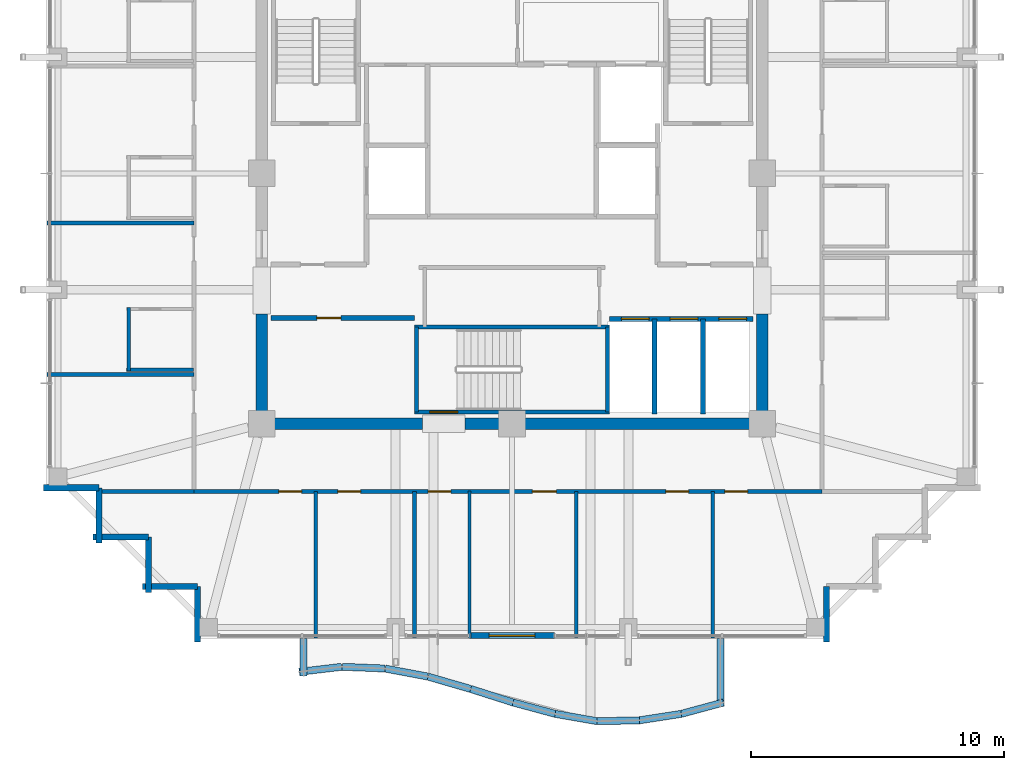
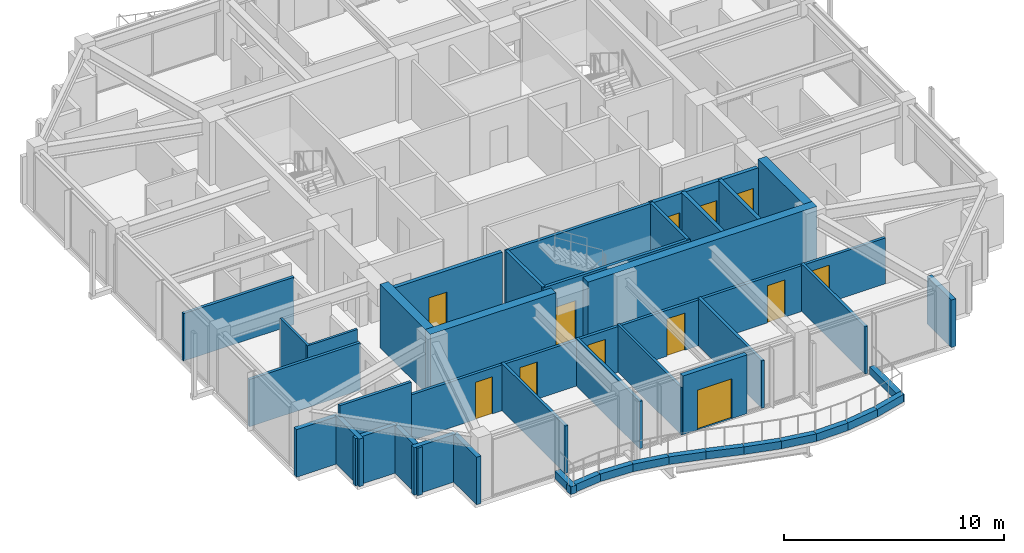
# One storey, part 26 of 31: 43 walls, 12 doors, 12 openings.
"""IFC4 building model written with IfcOpenShell, lengths in metres."""

from ifc_helpers import new_model, si_unit, direction, frame, frame_2d, origin, place, context, subcontext, project, spatial, rectangle, extrude, material, layer, layer_set, type_object, element, fill, save


model = new_model("IFC4")

# Units and contexts
model_context = context("Model", 3, precision=1e-05, world=origin(), true_north=direction((0.0, 1.0)))
body_context = subcontext(model_context, "Body", "Model", "MODEL_VIEW")
ifc_project = project(units=[si_unit("LENGTHUNIT", "METRE"), si_unit("AREAUNIT", "SQUARE_METRE"), si_unit("VOLUMEUNIT", "CUBIC_METRE"), si_unit("PLANEANGLEUNIT", "RADIAN"), si_unit("MASSUNIT", "GRAM", prefix="KILO")], contexts=[model_context])

# Site, building, storey
site_placement = place(None, origin())
site = spatial("IfcSite", under=ifc_project, at=site_placement, CompositionType="ELEMENT")
building_placement = place(site_placement, origin())
building = spatial("IfcBuilding", under=site, at=building_placement, Name="Kolvaren Belvedere", CompositionType="ELEMENT")
storey_placement = place(building_placement, frame((0.0, 0.0, 247.89990234375)))
storey = spatial("IfcBuildingStorey", under=building, at=storey_placement, Name="L72", CompositionType="ELEMENT", Elevation=247.89990234375)

# Walls
ifc_material_1 = material(Name="Concrete C50/60", Category="concrete")
ifc_layer_1 = layer(ifc_material_1, 0.449951171875)
ifc_layer_set_1 = layer_set([ifc_layer_1], Name="Concrete C50/60")
wall_type_1 = type_object("IfcWallType", Name="CW-CORE-450", PredefinedType="SHEAR", material=ifc_layer_set_1)
wall_1_placement = place(storey_placement, frame((10.125, -9.89990234375, 0.0), z_axis=(0.0, 0.0, 1.0), x_axis=(-1.0, 0.0, 0.0)))
element("IfcWall", 1, at=wall_1_placement, inside=storey, type_object=wall_type_1, Name="L72 South Core Shear Wall 1", PredefinedType="SHEAR", context=body_context, shape_type="SweptSolid", body=[
    extrude(rectangle(XDim=11.985107421875, YDim=0.449951171875, at=frame_2d((5.99267578125, 0.0))), origin(), (0.0, 0.0, 1.0), 3.5),
])
wall_2_placement = place(storey_placement, frame((-3.5400390625, -9.89990234375, 0.0), z_axis=(0.0, 0.0, 1.0), x_axis=(-1.0, 0.0, 0.0)))
element("IfcWall", 2, at=wall_2_placement, inside=storey, type_object=wall_type_1, Name="L72 South Core Shear Wall 2", PredefinedType="SHEAR", context=body_context, shape_type="SweptSolid", body=[
    extrude(rectangle(XDim=6.5849609375, YDim=0.449951171875, at=frame_2d((3.29248046875, 0.0))), origin(), (0.0, 0.0, 1.0), 3.5),
])
for number, where, z_axis, x_axis, name in (
    (3, (-9.89990234375, -9.675048828125, 0.0), (0.0, 0.0, 1.0), (0.0, 1.0, 0.0), "L72 West Core Shear Wall 1"),
    (4, (9.89990234375, -9.675048828125, 0.0), (0.0, 0.0, 1.0), (0.0, 1.0, 0.0), "L72 East Core Shear Wall 1"),
):
    element("IfcWall", number, at=place(storey_placement, frame(where, z_axis=z_axis, x_axis=x_axis)), inside=storey, type_object=wall_type_1, Name=name, PredefinedType="SHEAR", context=body_context, shape_type="SweptSolid", body=[
        extrude(rectangle(XDim=4.125, YDim=0.449951171875, at=frame_2d((2.0625, 0.0))), origin(), (0.0, 0.0, 1.0), 3.5),
    ])

# Wall, opening, door
ifc_material_2 = material(Name="Concrete C50/60", Category="concrete")
ifc_layer_2 = layer(ifc_material_2, 0.159912109375)
ifc_layer_set_2 = layer_set([ifc_layer_2], Name="Concrete C50/60")
wall_type_2 = type_object("IfcWallType", Name="CW-STAIR-160", PredefinedType="SHEAR", material=ifc_layer_set_2)
wall_3_placement = place(storey_placement, frame((3.860107421875, -9.429931640625, 0.0), z_axis=(0.0, 0.0, 1.0), x_axis=(-1.0, 0.0, 0.0)))
wall_3 = element("IfcWall", 5, at=wall_3_placement, inside=storey, type_object=wall_type_2, Name="L72 Stair ST-3 South Shear Wall", PredefinedType="SHEAR", context=body_context, shape_type="SweptSolid", body=[
    extrude(rectangle(XDim=7.72021484375, YDim=0.159912109375, at=frame_2d((3.860107421875, 0.0))), origin(), (0.0, 0.0, 1.0), 3.5),
])
opening_1_placement = place(wall_3_placement, frame((6.010009765625, 0.0, 0.0)))
opening_1 = element("IfcOpeningElement", 6, at=opening_1_placement, cuts=wall_3, Name="Opening D-FD90", PredefinedType="OPENING", context=body_context, shape_type="SweptSolid", body=[
    extrude(rectangle(XDim=1.10009765625, YDim=2.199951171875, at=frame_2d((0.550048828125, 1.10009765625))), frame((0.0, 0.08984375, 0.0), z_axis=(0.0, -1.0, 0.0), x_axis=(1.0, 0.0, 0.0)), (0.0, 0.0, 1.0), 0.179931640625),
])
ifc_material_3 = material(Name="Painted hollow stainless steel", Category="steel")
door_type_1 = type_object("IfcDoorType", Name="DR-FD90-1100", OperationType="NOTDEFINED", PredefinedType="DOOR", material=ifc_material_3)
door_1_placement = place(opening_1_placement, origin())
door_1 = element("IfcDoor", 7, at=door_1_placement, inside=storey, type_object=door_type_1, Name="L72 Stair ST-3 Exit Door", OperationType="SINGLE_SWING_RIGHT", OverallHeight=2.199951171875, OverallWidth=1.10009765625, PredefinedType="DOOR", context=body_context, shape_type="SweptSolid", body=[
    extrude(rectangle(XDim=1.10009765625, YDim=2.199951171875, at=frame_2d((0.550048828125, 1.10009765625))), frame((0.0, 0.02490234375, 0.0), z_axis=(0.0, -1.0, 0.0), x_axis=(1.0, 0.0, 0.0)), (0.0, 0.0, 1.0), 0.050048828125),
])
fill(opening_1, door_1)

# Walls
wall_4_placement = place(storey_placement, frame((-3.860107421875, -6.080078125, 0.0), z_axis=(0.0, 0.0, 1.0), x_axis=(1.0, 0.0, 0.0)))
element("IfcWall", 8, at=wall_4_placement, inside=storey, type_object=wall_type_2, Name="L72 Stair ST-3 North Shear Wall", PredefinedType="SHEAR", context=body_context, shape_type="SweptSolid", body=[
    extrude(rectangle(XDim=7.72021484375, YDim=0.159912109375, at=frame_2d((3.860107421875, 0.0))), origin(), (0.0, 0.0, 1.0), 3.5),
])
for number, where, z_axis, x_axis, name in (
    (9, (-3.780029296875, -9.429931640625, 0.0), (0.0, 0.0, 1.0), (0.0, 1.0, 0.0), "L72 Stair ST-3 West Shear Wall"),
    (10, (3.780029296875, -9.429931640625, 0.0), (0.0, 0.0, 1.0), (0.0, 1.0, 0.0), "L72 Stair ST-3 East Shear Wall"),
):
    element("IfcWall", number, at=place(storey_placement, frame(where, z_axis=z_axis, x_axis=x_axis)), inside=storey, type_object=wall_type_2, Name=name, PredefinedType="SHEAR", context=body_context, shape_type="SweptSolid", body=[
        extrude(rectangle(XDim=3.349853515625, YDim=0.159912109375, at=frame_2d((1.6748046875, 0.0))), origin(), (0.0, 0.0, 1.0), 3.5),
    ])

# Wall, openings, doors
ifc_material_4 = material(Name="Gypsum fire-rated partition assembly", Category="gypsum")
ifc_layer_3 = layer(ifc_material_4, 0.14990234375)
ifc_layer_set_3 = layer_set([ifc_layer_3], Name="Gypsum fire-rated partition assembly")
wall_type_3 = type_object("IfcWallType", Name="WL-CORR-150", PredefinedType="PARTITIONING", material=ifc_layer_set_3)
wall_5_placement = place(storey_placement, frame((-12.580078125, -12.580078125, 0.0), z_axis=(0.0, 0.0, 1.0), x_axis=(1.0, 0.0, 0.0)))
wall_5 = element("IfcWall", 11, at=wall_5_placement, inside=storey, type_object=wall_type_3, Name="L72 South Corridor Wall", PredefinedType="PARTITIONING", context=body_context, shape_type="SweptSolid", body=[
    extrude(rectangle(XDim=24.840087890625, YDim=0.14990234375, at=frame_2d((12.419921875, 0.0))), origin(), (0.0, 0.0, 1.0), 2.5390625),
])
opening_2_placement = place(wall_5_placement, frame((3.363037109375, 0.0, 0.0)))
opening_2 = element("IfcOpeningElement", 12, at=opening_2_placement, cuts=wall_5, Name="Opening D-INT90", PredefinedType="OPENING", context=body_context, shape_type="SweptSolid", body=[
    extrude(rectangle(XDim=0.89990234375, YDim=2.06005859375, at=frame_2d((0.449951171875, 1.030029296875))), frame((0.0, 0.0849609375, 0.0), z_axis=(0.0, -1.0, 0.0), x_axis=(1.0, 0.0, 0.0)), (0.0, 0.0, 1.0), 0.169921875),
])
opening_3_placement = place(wall_5_placement, frame((5.697998046875, 0.0, 0.0)))
opening_3 = element("IfcOpeningElement", 13, at=opening_3_placement, cuts=wall_5, Name="Opening D-INT90", PredefinedType="OPENING", context=body_context, shape_type="SweptSolid", body=[
    extrude(rectangle(XDim=0.89990234375, YDim=2.06005859375, at=frame_2d((0.449951171875, 1.030029296875))), frame((0.0, 0.0849609375, 0.0), z_axis=(0.0, -1.0, 0.0), x_axis=(1.0, 0.0, 0.0)), (0.0, 0.0, 1.0), 0.169921875),
])
opening_4_placement = place(wall_5_placement, frame((9.265869140625, 0.0, 0.0)))
opening_4 = element("IfcOpeningElement", 14, at=opening_4_placement, cuts=wall_5, Name="Opening D-INT90", PredefinedType="OPENING", context=body_context, shape_type="SweptSolid", body=[
    extrude(rectangle(XDim=0.89990234375, YDim=2.06005859375, at=frame_2d((0.449951171875, 1.030029296875))), frame((0.0, 0.0849609375, 0.0), z_axis=(0.0, -1.0, 0.0), x_axis=(1.0, 0.0, 0.0)), (0.0, 0.0, 1.0), 0.169921875),
])
opening_5_placement = place(wall_5_placement, frame((13.38818359375, 0.0, 0.0)))
opening_5 = element("IfcOpeningElement", 15, at=opening_5_placement, cuts=wall_5, Name="Opening D-INT95", PredefinedType="OPENING", context=body_context, shape_type="SweptSolid", body=[
    extrude(rectangle(XDim=0.949951171875, YDim=2.06005859375, at=frame_2d((0.47509765625, 1.030029296875))), frame((0.0, 0.0849609375, 0.0), z_axis=(0.0, -1.0, 0.0), x_axis=(1.0, 0.0, 0.0)), (0.0, 0.0, 1.0), 0.169921875),
])
opening_6_placement = place(wall_5_placement, frame((18.66064453125, 0.0, 0.0)))
opening_6 = element("IfcOpeningElement", 16, at=opening_6_placement, cuts=wall_5, Name="Opening D-INT90", PredefinedType="OPENING", context=body_context, shape_type="SweptSolid", body=[
    extrude(rectangle(XDim=0.89990234375, YDim=2.06005859375, at=frame_2d((0.449951171875, 1.030029296875))), frame((0.0, 0.0849609375, 0.0), z_axis=(0.0, -1.0, 0.0), x_axis=(1.0, 0.0, 0.0)), (0.0, 0.0, 1.0), 0.169921875),
])
opening_7_placement = place(wall_5_placement, frame((20.99560546875, 0.0, 0.0)))
opening_7 = element("IfcOpeningElement", 17, at=opening_7_placement, cuts=wall_5, Name="Opening D-INT90", PredefinedType="OPENING", context=body_context, shape_type="SweptSolid", body=[
    extrude(rectangle(XDim=0.89990234375, YDim=2.06005859375, at=frame_2d((0.449951171875, 1.030029296875))), frame((0.0, 0.0849609375, 0.0), z_axis=(0.0, -1.0, 0.0), x_axis=(1.0, 0.0, 0.0)), (0.0, 0.0, 1.0), 0.169921875),
])
ifc_material_5 = material(Name="Stained Pacific white oak", Category="timber")
door_type_2 = type_object("IfcDoorType", Name="DR-INT-900", OperationType="NOTDEFINED", PredefinedType="DOOR", material=ifc_material_5)
door_2_placement = place(opening_2_placement, origin())
door_2 = element("IfcDoor", 18, at=door_2_placement, inside=storey, type_object=door_type_2, Name="L72 Private Hospitality Meeting Room 7201 Door", OperationType="SINGLE_SWING_RIGHT", OverallHeight=2.06005859375, OverallWidth=0.89990234375, PredefinedType="DOOR", context=body_context, shape_type="SweptSolid", body=[
    extrude(rectangle(XDim=0.89990234375, YDim=2.06005859375, at=frame_2d((0.449951171875, 1.030029296875))), frame((0.0, 0.02490234375, 0.0), z_axis=(0.0, -1.0, 0.0), x_axis=(1.0, 0.0, 0.0)), (0.0, 0.0, 1.0), 0.050048828125),
])
fill(opening_2, door_2)
door_3_placement = place(opening_3_placement, origin())
door_3 = element("IfcDoor", 19, at=door_3_placement, inside=storey, type_object=door_type_2, Name="L72 Panoramic Quiet Lounge 7202 Door", OperationType="SINGLE_SWING_LEFT", OverallHeight=2.06005859375, OverallWidth=0.89990234375, PredefinedType="DOOR", context=body_context, shape_type="SweptSolid", body=[
    extrude(rectangle(XDim=0.89990234375, YDim=2.06005859375, at=frame_2d((0.449951171875, 1.030029296875))), frame((0.0, 0.02490234375, 0.0), z_axis=(0.0, -1.0, 0.0), x_axis=(1.0, 0.0, 0.0)), (0.0, 0.0, 1.0), 0.050048828125),
])
fill(opening_3, door_3)
door_4_placement = place(opening_4_placement, origin())
door_4 = element("IfcDoor", 20, at=door_4_placement, inside=storey, type_object=door_type_2, Name="L72 Housekeeping Door", OperationType="SINGLE_SWING_RIGHT", OverallHeight=2.06005859375, OverallWidth=0.89990234375, PredefinedType="DOOR", context=body_context, shape_type="SweptSolid", body=[
    extrude(rectangle(XDim=0.89990234375, YDim=2.06005859375, at=frame_2d((0.449951171875, 1.030029296875))), frame((0.0, 0.02490234375, 0.0), z_axis=(0.0, -1.0, 0.0), x_axis=(1.0, 0.0, 0.0)), (0.0, 0.0, 1.0), 0.050048828125),
])
fill(opening_4, door_4)
door_5_placement = place(opening_6_placement, origin())
door_5 = element("IfcDoor", 21, at=door_5_placement, inside=storey, type_object=door_type_2, Name="L72 Botanical Reading Salon 7203 Door", OperationType="SINGLE_SWING_RIGHT", OverallHeight=2.06005859375, OverallWidth=0.89990234375, PredefinedType="DOOR", context=body_context, shape_type="SweptSolid", body=[
    extrude(rectangle(XDim=0.89990234375, YDim=2.06005859375, at=frame_2d((0.449951171875, 1.030029296875))), frame((0.0, 0.02490234375, 0.0), z_axis=(0.0, -1.0, 0.0), x_axis=(1.0, 0.0, 0.0)), (0.0, 0.0, 1.0), 0.050048828125),
])
fill(opening_6, door_5)
door_6_placement = place(opening_7_placement, origin())
door_6 = element("IfcDoor", 22, at=door_6_placement, inside=storey, type_object=door_type_2, Name="L72 Lounge 7204 Door", OperationType="SINGLE_SWING_LEFT", OverallHeight=2.06005859375, OverallWidth=0.89990234375, PredefinedType="DOOR", context=body_context, shape_type="SweptSolid", body=[
    extrude(rectangle(XDim=0.89990234375, YDim=2.06005859375, at=frame_2d((0.449951171875, 1.030029296875))), frame((0.0, 0.02490234375, 0.0), z_axis=(0.0, -1.0, 0.0), x_axis=(1.0, 0.0, 0.0)), (0.0, 0.0, 1.0), 0.050048828125),
])
fill(opening_7, door_6)
ifc_material_6 = material(Name="Stained Pacific white oak", Category="timber")
door_type_3 = type_object("IfcDoorType", Name="DR-INT-950", OperationType="NOTDEFINED", PredefinedType="DOOR", material=ifc_material_6)
door_7_placement = place(opening_5_placement, origin())
door_7 = element("IfcDoor", 23, at=door_7_placement, inside=storey, type_object=door_type_3, Name="L72 Accessible Washroom Door", OperationType="SINGLE_SWING_LEFT", OverallHeight=2.06005859375, OverallWidth=0.949951171875, PredefinedType="DOOR", context=body_context, shape_type="SweptSolid", body=[
    extrude(rectangle(XDim=0.949951171875, YDim=2.06005859375, at=frame_2d((0.47509765625, 1.030029296875))), frame((0.0, 0.02490234375, 0.0), z_axis=(0.0, -1.0, 0.0), x_axis=(1.0, 0.0, 0.0)), (0.0, 0.0, 1.0), 0.050048828125),
])
fill(opening_5, door_7)

# Wall, opening, door
ifc_material_7 = material(Name="Insulated pale-metal facade wall assembly", Category="aluminium")
ifc_layer_4 = layer(ifc_material_7, 0.239990234375)
ifc_layer_set_4 = layer_set([ifc_layer_4], Name="Insulated pale-metal facade wall assembly")
wall_type_4 = type_object("IfcWallType", Name="WL-EXT-240", PredefinedType="STANDARD", material=ifc_layer_set_4)
wall_6_placement = place(storey_placement, frame((1.679931640625, -18.280029296875, 0.0), z_axis=(0.0, 0.0, 1.0), x_axis=(-1.0, 0.0, 0.0)))
wall_6 = element("IfcWall", 24, at=wall_6_placement, inside=storey, type_object=wall_type_4, Name="L72 South Terrace Portal Wall", PredefinedType="STANDARD", context=body_context, shape_type="SweptSolid", body=[
    extrude(rectangle(XDim=3.35986328125, YDim=0.239990234375, at=frame_2d((1.679931640625, 0.0))), origin(), (0.0, 0.0, 1.0), 3.25),
])
opening_8_placement = place(wall_6_placement, frame((0.780029296875, 0.0, 0.0)))
opening_8 = element("IfcOpeningElement", 25, at=opening_8_placement, cuts=wall_6, Name="Opening DB-1800", PredefinedType="OPENING", context=body_context, shape_type="SweptSolid", body=[
    extrude(rectangle(XDim=1.800048828125, YDim=2.199951171875, at=frame_2d((0.89990234375, 1.10009765625))), frame((0.0, 0.1298828125, 0.0), z_axis=(0.0, -1.0, 0.0), x_axis=(1.0, 0.0, 0.0)), (0.0, 0.0, 1.0), 0.260009765625),
])
ifc_material_8 = material(Name="Thermally broken pale-metal aluminium & low-iron glass", Category="aluminium")
door_type_4 = type_object("IfcDoorType", Name="DR-BAL-1800", OperationType="DOUBLE_DOOR_SLIDING", PredefinedType="DOOR", material=ifc_material_8)
door_8_placement = place(opening_8_placement, origin())
door_8 = element("IfcDoor", 26, at=door_8_placement, inside=storey, type_object=door_type_4, Name="L72 South Planted Terrace Sliding Door", OperationType="DOUBLE_DOOR_SLIDING", OverallHeight=2.199951171875, OverallWidth=1.800048828125, PredefinedType="DOOR", context=body_context, shape_type="SweptSolid", body=[
    extrude(rectangle(XDim=1.800048828125, YDim=2.199951171875, at=frame_2d((0.89990234375, 1.10009765625))), frame((0.0, 0.02490234375, 0.0), z_axis=(0.0, -1.0, 0.0), x_axis=(1.0, 0.0, 0.0)), (0.0, 0.0, 1.0), 0.050048828125),
])
fill(opening_8, door_8)

# Walls
for number, where, z_axis, x_axis, name in (
    (27, (12.429931640625, -16.330078125, 0.0), (0.0, 0.0, 1.0), (0.0, -1.0, 0.0), "L72 Serrated Corner Facade Wall 2"),
    (28, (-16.330078125, -12.429931640625, 0.0), (0.0, 0.0, 1.0), (-1.0, 0.0, 0.0), "L72 Serrated Corner Facade Wall 23"),
):
    element("IfcWall", number, at=place(storey_placement, frame(where, z_axis=z_axis, x_axis=x_axis)), inside=storey, type_object=wall_type_4, Name=name, PredefinedType="STANDARD", context=body_context, shape_type="SweptSolid", body=[
        extrude(rectangle(XDim=2.18994140625, YDim=0.239990234375, at=frame_2d((1.094970703125, 0.0))), origin(), (0.0, 0.0, 1.0), 2.633056640625),
    ])
for number, where, z_axis, x_axis, name in (
    (29, (-16.330078125, -14.6201171875, 0.0), (0.0, 0.0, 1.0), (0.0, 1.0, 0.0), "L72 Serrated Corner Facade Wall 24"),
    (30, (-14.3798828125, -14.3798828125, 0.0), (0.0, 0.0, 1.0), (-1.0, 0.0, 0.0), "L72 Serrated Corner Facade Wall 25"),
    (31, (-14.3798828125, -16.570068359375, 0.0), (0.0, 0.0, 1.0), (0.0, 1.0, 0.0), "L72 Serrated Corner Facade Wall 26"),
    (32, (-12.429931640625, -16.330078125, 0.0), (0.0, 0.0, 1.0), (-1.0, 0.0, 0.0), "L72 Serrated Corner Facade Wall 27"),
):
    element("IfcWall", number, at=place(storey_placement, frame(where, z_axis=z_axis, x_axis=x_axis)), inside=storey, type_object=wall_type_4, Name=name, PredefinedType="STANDARD", context=body_context, shape_type="SweptSolid", body=[
        extrude(rectangle(XDim=2.190185546875, YDim=0.239990234375, at=frame_2d((1.09521484375, 0.0))), origin(), (0.0, 0.0, 1.0), 2.633056640625),
    ])
wall_7_placement = place(storey_placement, frame((-12.429931640625, -18.52001953125, 0.0), z_axis=(0.0, 0.0, 1.0), x_axis=(0.0, 1.0, 0.0)))
element("IfcWall", 33, at=wall_7_placement, inside=storey, type_object=wall_type_4, Name="L72 Serrated Corner Facade Wall 28", PredefinedType="STANDARD", context=body_context, shape_type="SweptSolid", body=[
    extrude(rectangle(XDim=2.18994140625, YDim=0.239990234375, at=frame_2d((1.094970703125, 0.0))), origin(), (0.0, 0.0, 1.0), 2.633056640625),
])
ifc_material_9 = material(Name="Gypsum acoustic partition assembly", Category="gypsum")
ifc_layer_5 = layer(ifc_material_9, 0.14990234375)
ifc_layer_set_5 = layer_set([ifc_layer_5], Name="Gypsum acoustic partition assembly")
wall_type_5 = type_object("IfcWallType", Name="WL-PART-150", PredefinedType="PARTITIONING", material=ifc_layer_set_5)
wall_8_placement = place(storey_placement, frame((-16.320068359375, -12.580078125, 0.0), z_axis=(0.0, 0.0, 1.0), x_axis=(1.0, 0.0, 0.0)))
element("IfcWall", 34, at=wall_8_placement, inside=storey, type_object=wall_type_5, Name="L72 Wing Divider PW-L72-QSW", PredefinedType="PARTITIONING", context=body_context, shape_type="SweptSolid", body=[
    extrude(rectangle(XDim=3.739990234375, YDim=0.14990234375, at=frame_2d((1.8701171875, 0.0))), origin(), (0.0, 0.0, 1.0), 3.25),
])
for number, where, z_axis, x_axis, name in (
    (35, (-7.760009765625, -18.3798828125, 0.0), (0.0, 0.0, 1.0), (0.0, 1.0, 0.0), "L72 South Suite Demising Wall 1"),
    (36, (-3.860107421875, -18.3798828125, 0.0), (0.0, 0.0, 1.0), (0.0, 1.0, 0.0), "L72 South Suite Demising Wall 2"),
    (37, (2.5400390625, -18.3798828125, 0.0), (0.0, 0.0, 1.0), (0.0, 1.0, 0.0), "L72 South Suite Demising Wall 3"),
    (38, (7.93994140625, -18.3798828125, 0.0), (0.0, 0.0, 1.0), (0.0, 1.0, 0.0), "L72 South Suite Demising Wall 4"),
    (39, (-18.3798828125, -7.9560546875, 0.0), (0.0, 0.0, 1.0), (1.0, 0.0, 0.0), "L72 West Suite Demising Wall 1"),
    (40, (-18.3798828125, -1.9560546875, 0.0), (0.0, 0.0, 1.0), (1.0, 0.0, 0.0), "L72 West Suite Demising Wall 2"),
):
    element("IfcWall", number, at=place(storey_placement, frame(where, z_axis=z_axis, x_axis=x_axis)), inside=storey, type_object=wall_type_5, Name=name, PredefinedType="PARTITIONING", context=body_context, shape_type="SweptSolid", body=[
        extrude(rectangle(XDim=5.7998046875, YDim=0.14990234375, at=frame_2d((2.89990234375, 0.0))), origin(), (0.0, 0.0, 1.0), 2.623046875),
    ])
ifc_material_10 = material(Name="Precast concrete C40/50", Category="concrete")
ifc_layer_6 = layer(ifc_material_10, 0.300048828125)
ifc_layer_set_6 = layer_set([ifc_layer_6], Name="Precast concrete C40/50")
wall_type_6 = type_object("IfcWallType", Name="WL-PLANTER-300", PredefinedType="PARAPET", material=ifc_layer_set_6)
wall_9_placement = place(storey_placement, frame((-8.418701171875, -19.70751953125, -0.06982421875), z_axis=(0.0, 0.0, 1.0), x_axis=(0.993125952783, 0.11705059551, 0.0)))
element("IfcWall", 41, at=wall_9_placement, inside=storey, type_object=wall_type_6, Name="L72 Precast Structural Planter Wall BAL-S-1", PredefinedType="PARAPET", context=body_context, shape_type="SweptSolid", body=[
    extrude(rectangle(XDim=1.691650390625, YDim=0.280029296875, at=frame_2d((0.845703125, 0.0))), origin(), (0.0, 0.0, 1.0), 0.419921875),
])
wall_10_placement = place(storey_placement, frame((-6.713623046875, -19.508544921875, -0.06982421875), z_axis=(0.0, 0.0, 1.0), x_axis=(0.999196545286, -0.040078222133, 0.0)))
element("IfcWall", 42, at=wall_10_placement, inside=storey, type_object=wall_type_6, Name="L72 Precast Structural Planter Wall BAL-S-2", PredefinedType="PARAPET", context=body_context, shape_type="SweptSolid", body=[
    extrude(rectangle(XDim=1.681396484375, YDim=0.280029296875, at=frame_2d((0.8408203125, 0.0))), origin(), (0.0, 0.0, 1.0), 0.419921875),
])
wall_11_placement = place(storey_placement, frame((-5.010498046875, -19.57861328125, -0.06982421875), z_axis=(0.0, 0.0, 1.0), x_axis=(0.982804219087, -0.184650661912, 0.0)))
element("IfcWall", 43, at=wall_11_placement, inside=storey, type_object=wall_type_6, Name="L72 Precast Structural Planter Wall BAL-S-3", PredefinedType="PARAPET", context=body_context, shape_type="SweptSolid", body=[
    extrude(rectangle(XDim=1.70947265625, YDim=0.280029296875, at=frame_2d((0.854736328125, 0.0))), origin(), (0.0, 0.0, 1.0), 0.419921875),
])
wall_12_placement = place(storey_placement, frame((-3.3154296875, -19.89794921875, -0.06982421875), z_axis=(0.0, 0.0, 1.0), x_axis=(0.960633903819, -0.277817391164, 0.0)))
element("IfcWall", 44, at=wall_12_placement, inside=storey, type_object=wall_type_6, Name="L72 Precast Structural Planter Wall BAL-S-4", PredefinedType="PARAPET", context=body_context, shape_type="SweptSolid", body=[
    extrude(rectangle(XDim=1.748779296875, YDim=0.280029296875, at=frame_2d((0.87451171875, 0.0))), origin(), (0.0, 0.0, 1.0), 0.419921875),
])
wall_13_placement = place(storey_placement, frame((-1.63134765625, -20.38525390625, -0.06982421875), z_axis=(0.0, 0.0, 1.0), x_axis=(0.952661770826, -0.304032153573, 0.0)))
element("IfcWall", 45, at=wall_13_placement, inside=storey, type_object=wall_type_6, Name="L72 Precast Structural Planter Wall BAL-S-5", PredefinedType="PARAPET", context=body_context, shape_type="SweptSolid", body=[
    extrude(rectangle(XDim=1.763427734375, YDim=0.280029296875, at=frame_2d((0.8818359375, 0.0))), origin(), (0.0, 0.0, 1.0), 0.419921875),
])
wall_14_placement = place(storey_placement, frame((0.041748046875, -20.919189453125, -0.06982421875), z_axis=(0.0, 0.0, 1.0), x_axis=(0.965424492388, -0.260682852326, 0.0)))
element("IfcWall", 46, at=wall_14_placement, inside=storey, type_object=wall_type_6, Name="L72 Precast Structural Planter Wall BAL-S-6", PredefinedType="PARAPET", context=body_context, shape_type="SweptSolid", body=[
    extrude(rectangle(XDim=1.739990234375, YDim=0.280029296875, at=frame_2d((0.8701171875, 0.0))), origin(), (0.0, 0.0, 1.0), 0.419921875),
])
wall_15_placement = place(storey_placement, frame((1.70751953125, -21.36962890625, -0.06982421875), z_axis=(0.0, 0.0, 1.0), x_axis=(0.985156010777, -0.171661394699, 0.0)))
element("IfcWall", 47, at=wall_15_placement, inside=storey, type_object=wall_type_6, Name="L72 Precast Structural Planter Wall BAL-S-7", PredefinedType="PARAPET", context=body_context, shape_type="SweptSolid", body=[
    extrude(rectangle(XDim=1.705322265625, YDim=0.280029296875, at=frame_2d((0.8525390625, 0.0))), origin(), (0.0, 0.0, 1.0), 0.419921875),
])
wall_16_placement = place(storey_placement, frame((3.356689453125, -21.659912109375, -0.06982421875), z_axis=(0.0, 0.0, 1.0), x_axis=(0.999799013034, 0.020048280122, 0.0)))
element("IfcWall", 48, at=wall_16_placement, inside=storey, type_object=wall_type_6, Name="L72 Precast Structural Planter Wall BAL-S-8", PredefinedType="PARAPET", context=body_context, shape_type="SweptSolid", body=[
    extrude(rectangle(XDim=1.680419921875, YDim=0.280029296875, at=frame_2d((0.84033203125, 0.0))), origin(), (0.0, 0.0, 1.0), 0.419921875),
])
wall_17_placement = place(storey_placement, frame((5.015625, -21.6279296875, -0.06982421875), z_axis=(0.0, 0.0, 1.0), x_axis=(0.988341789514, 0.152251460091, 0.0)))
element("IfcWall", 49, at=wall_17_placement, inside=storey, type_object=wall_type_6, Name="L72 Precast Structural Planter Wall BAL-S-9", PredefinedType="PARAPET", context=body_context, shape_type="SweptSolid", body=[
    extrude(rectangle(XDim=1.69970703125, YDim=0.280029296875, at=frame_2d((0.849853515625, 0.0))), origin(), (0.0, 0.0, 1.0), 0.419921875),
])
wall_18_placement = place(storey_placement, frame((6.67822265625, -21.372802734375, -0.06982421875), z_axis=(0.0, 0.0, 1.0), x_axis=(0.965434024814, 0.260647546949, 0.0)))
element("IfcWall", 50, at=wall_18_placement, inside=storey, type_object=wall_type_6, Name="L72 Precast Structural Planter Wall BAL-S-10", PredefinedType="PARAPET", context=body_context, shape_type="SweptSolid", body=[
    extrude(rectangle(XDim=1.740234375, YDim=0.280029296875, at=frame_2d((0.8701171875, 0.0))), origin(), (0.0, 0.0, 1.0), 0.419921875),
])
wall_19_placement = place(storey_placement, frame((8.239990234375, -21.07373046875, -0.06982421875), z_axis=(0.0, 0.0, 1.0), x_axis=(0.0, 1.0, 0.0)))
element("IfcWall", 51, at=wall_19_placement, inside=storey, type_object=wall_type_6, Name="L72 Precast Structural Planter Wall BAL-S-11", PredefinedType="PARAPET", context=body_context, shape_type="SweptSolid", body=[
    extrude(rectangle(XDim=2.673828125, YDim=0.280029296875, at=frame_2d((1.3369140625, 0.0))), origin(), (0.0, 0.0, 1.0), 0.419921875),
])
wall_20_placement = place(storey_placement, frame((-8.239990234375, -18.39990234375, -0.06982421875), z_axis=(0.0, 0.0, 1.0), x_axis=(0.0, -1.0, 0.0)))
element("IfcWall", 52, at=wall_20_placement, inside=storey, type_object=wall_type_6, Name="L72 Precast Structural Planter Wall BAL-S-22", PredefinedType="PARAPET", context=body_context, shape_type="SweptSolid", body=[
    extrude(rectangle(XDim=1.46630859375, YDim=0.280029296875, at=frame_2d((0.733154296875, 0.0))), origin(), (0.0, 0.0, 1.0), 0.419921875),
])

# Wall, opening, door
ifc_material_11 = material(Name="Concrete C50/60", Category="concrete")
ifc_layer_7 = layer(ifc_material_11, 0.199951171875)
ifc_layer_set_7 = layer_set([ifc_layer_7], Name="Concrete C50/60")
wall_type_7 = type_object("IfcWallType", Name="WL-SHAFT-200", PredefinedType="SOLIDWALL", material=ifc_layer_set_7)
wall_21_placement = place(storey_placement, frame((-9.52001953125, -5.719970703125, 0.0), z_axis=(0.0, 0.0, 1.0), x_axis=(1.0, 0.0, 0.0)))
wall_21 = element("IfcWall", 53, at=wall_21_placement, inside=storey, type_object=wall_type_7, Name="L72 Reclaimed Mid Room North Wall", PredefinedType="SOLIDWALL", context=body_context, shape_type="SweptSolid", body=[
    extrude(rectangle(XDim=5.659912109375, YDim=0.199951171875, at=frame_2d((2.830078125, 0.0))), origin(), (0.0, 0.0, 1.0), 3.25),
])
opening_9_placement = place(wall_21_placement, frame((1.800048828125, 0.0, 0.0)))
opening_9 = element("IfcOpeningElement", 54, at=opening_9_placement, cuts=wall_21, Name="Opening D-FD60", PredefinedType="OPENING", context=body_context, shape_type="SweptSolid", body=[
    extrude(rectangle(XDim=0.949951171875, YDim=2.06005859375, at=frame_2d((0.47509765625, 1.030029296875))), frame((0.0, 0.10986328125, 0.0), z_axis=(0.0, -1.0, 0.0), x_axis=(1.0, 0.0, 0.0)), (0.0, 0.0, 1.0), 0.219970703125),
])
ifc_material_12 = material(Name="Acoustic white-oak fire door leaf", Category="timber")
door_type_5 = type_object("IfcDoorType", Name="DR-FD60-950", OperationType="NOTDEFINED", PredefinedType="DOOR", material=ifc_material_12)
door_9_placement = place(opening_9_placement, origin())
door_9 = element("IfcDoor", 55, at=door_9_placement, inside=storey, type_object=door_type_5, Name="L72 Sky Sommelier & Tasting Room Entry Door", OperationType="SINGLE_SWING_LEFT", OverallHeight=2.06005859375, OverallWidth=0.949951171875, PredefinedType="DOOR", context=body_context, shape_type="SweptSolid", body=[
    extrude(rectangle(XDim=0.949951171875, YDim=2.06005859375, at=frame_2d((0.47509765625, 1.030029296875))), frame((0.0, 0.02490234375, 0.0), z_axis=(0.0, -1.0, 0.0), x_axis=(1.0, 0.0, 0.0)), (0.0, 0.0, 1.0), 0.050048828125),
])
fill(opening_9, door_9)

# Wall, openings, doors
wall_22_placement = place(storey_placement, frame((3.860107421875, -5.75, 0.0), z_axis=(0.0, 0.0, 1.0), x_axis=(1.0, 0.0, 0.0)))
wall_22 = element("IfcWall", 56, at=wall_22_placement, inside=storey, type_object=wall_type_7, Name="L72 High-Rise Lift Bank Front Wall", PredefinedType="SOLIDWALL", context=body_context, shape_type="SweptSolid", body=[
    extrude(rectangle(XDim=5.659912109375, YDim=0.199951171875, at=frame_2d((2.830078125, 0.0))), origin(), (0.0, 0.0, 1.0), 3.25),
])
opening_10_placement = place(wall_22_placement, frame((0.4599609375, 0.0, 0.0)))
opening_10 = element("IfcOpeningElement", 57, at=opening_10_placement, cuts=wall_22, Name="Opening LD-11", PredefinedType="OPENING", context=body_context, shape_type="SweptSolid", body=[
    extrude(rectangle(XDim=1.10009765625, YDim=2.199951171875, at=frame_2d((0.550048828125, 1.10009765625))), frame((0.0, 0.10986328125, 0.0), z_axis=(0.0, -1.0, 0.0), x_axis=(1.0, 0.0, 0.0)), (0.0, 0.0, 1.0), 0.219970703125),
])
opening_11_placement = place(wall_22_placement, frame((2.389892578125, 0.0, 0.0)))
opening_11 = element("IfcOpeningElement", 58, at=opening_11_placement, cuts=wall_22, Name="Opening LD-11", PredefinedType="OPENING", context=body_context, shape_type="SweptSolid", body=[
    extrude(rectangle(XDim=1.10009765625, YDim=2.199951171875, at=frame_2d((0.550048828125, 1.10009765625))), frame((0.0, 0.10986328125, 0.0), z_axis=(0.0, -1.0, 0.0), x_axis=(1.0, 0.0, 0.0)), (0.0, 0.0, 1.0), 0.219970703125),
])
opening_12_placement = place(wall_22_placement, frame((4.320068359375, 0.0, 0.0)))
opening_12 = element("IfcOpeningElement", 59, at=opening_12_placement, cuts=wall_22, Name="Opening LD-11", PredefinedType="OPENING", context=body_context, shape_type="SweptSolid", body=[
    extrude(rectangle(XDim=1.10009765625, YDim=2.199951171875, at=frame_2d((0.550048828125, 1.10009765625))), frame((0.0, 0.10986328125, 0.0), z_axis=(0.0, -1.0, 0.0), x_axis=(1.0, 0.0, 0.0)), (0.0, 0.0, 1.0), 0.219970703125),
])
ifc_material_13 = material(Name="Brushed stainless steel", Category="steel")
door_type_6 = type_object("IfcDoorType", Name="DR-LIFT-1100", OperationType="DOUBLE_DOOR_SLIDING", PredefinedType="DOOR", material=ifc_material_13)
door_10_placement = place(opening_10_placement, origin())
door_10 = element("IfcDoor", 60, at=door_10_placement, inside=storey, type_object=door_type_6, Name="L72 Passenger Lift P7 Landing Door", OperationType="DOUBLE_DOOR_SLIDING", OverallHeight=2.199951171875, OverallWidth=1.10009765625, PredefinedType="DOOR", context=body_context, shape_type="SweptSolid", body=[
    extrude(rectangle(XDim=1.10009765625, YDim=2.199951171875, at=frame_2d((0.550048828125, 1.10009765625))), frame((0.0, 0.02490234375, 0.0), z_axis=(0.0, -1.0, 0.0), x_axis=(1.0, 0.0, 0.0)), (0.0, 0.0, 1.0), 0.050048828125),
])
fill(opening_10, door_10)
door_11_placement = place(opening_11_placement, origin())
door_11 = element("IfcDoor", 61, at=door_11_placement, inside=storey, type_object=door_type_6, Name="L72 Passenger Lift P8 Landing Door", OperationType="DOUBLE_DOOR_SLIDING", OverallHeight=2.199951171875, OverallWidth=1.10009765625, PredefinedType="DOOR", context=body_context, shape_type="SweptSolid", body=[
    extrude(rectangle(XDim=1.10009765625, YDim=2.199951171875, at=frame_2d((0.550048828125, 1.10009765625))), frame((0.0, 0.02490234375, 0.0), z_axis=(0.0, -1.0, 0.0), x_axis=(1.0, 0.0, 0.0)), (0.0, 0.0, 1.0), 0.050048828125),
])
fill(opening_11, door_11)
door_12_placement = place(opening_12_placement, origin())
door_12 = element("IfcDoor", 62, at=door_12_placement, inside=storey, type_object=door_type_6, Name="L72 Passenger Lift P9 Landing Door", OperationType="DOUBLE_DOOR_SLIDING", OverallHeight=2.199951171875, OverallWidth=1.10009765625, PredefinedType="DOOR", context=body_context, shape_type="SweptSolid", body=[
    extrude(rectangle(XDim=1.10009765625, YDim=2.199951171875, at=frame_2d((0.550048828125, 1.10009765625))), frame((0.0, 0.02490234375, 0.0), z_axis=(0.0, -1.0, 0.0), x_axis=(1.0, 0.0, 0.0)), (0.0, 0.0, 1.0), 0.050048828125),
])
fill(opening_12, door_12)

# Walls
for number, where, z_axis, x_axis, name in (
    (63, (5.6298828125, -9.52001953125, 0.0), (0.0, 0.0, 1.0), (0.0, 1.0, 0.0), "L72 High-Rise Hoistway Divider 1"),
    (64, (7.56005859375, -9.52001953125, 0.0), (0.0, 0.0, 1.0), (0.0, 1.0, 0.0), "L72 High-Rise Hoistway Divider 2"),
):
    element("IfcWall", number, at=place(storey_placement, frame(where, z_axis=z_axis, x_axis=x_axis)), inside=storey, type_object=wall_type_7, Name=name, PredefinedType="SOLIDWALL", context=body_context, shape_type="SweptSolid", body=[
        extrude(rectangle(XDim=3.77001953125, YDim=0.199951171875, at=frame_2d((1.885009765625, 0.0))), origin(), (0.0, 0.0, 1.0), 3.25),
    ])
ifc_material_14 = material(Name="Moisture-resistant gypsum partition", Category="gypsum")
ifc_layer_8 = layer(ifc_material_14, 0.125)
ifc_layer_set_8 = layer_set([ifc_layer_8], Name="Moisture-resistant gypsum partition")
wall_type_8 = type_object("IfcWallType", Name="WL-WET-125", PredefinedType="PARTITIONING", material=ifc_layer_set_8)
wall_23_placement = place(storey_placement, frame((-1.68701171875, -18.3798828125, 0.0), z_axis=(0.0, 0.0, 1.0), x_axis=(0.0, 1.0, 0.0)))
element("IfcWall", 65, at=wall_23_placement, inside=storey, type_object=wall_type_8, Name="L72 Housekeeping Washroom Divider", PredefinedType="PARTITIONING", context=body_context, shape_type="SweptSolid", body=[
    extrude(rectangle(XDim=5.824951171875, YDim=0.125, at=frame_2d((2.91259765625, 0.0))), origin(), (0.0, 0.0, 1.0), 2.623046875),
])
wall_24_placement = place(storey_placement, frame((-15.155029296875, -7.821044921875, 0.0), z_axis=(0.0, 0.0, 1.0), x_axis=(0.0, 1.0, 0.0)))
element("IfcWall", 66, at=wall_24_placement, inside=storey, type_object=wall_type_8, Name="L72 Bathroom Partition PW-L72-BTH-9-V", PredefinedType="PARTITIONING", context=body_context, shape_type="SweptSolid", body=[
    extrude(rectangle(XDim=2.52001953125, YDim=0.125, at=frame_2d((1.260009765625, 0.0))), origin(), (0.0, 0.0, 1.0), 3.25),
])
wall_25_placement = place(storey_placement, frame((-15.235107421875, -7.760986328125, 0.0), z_axis=(0.0, 0.0, 1.0), x_axis=(1.0, 0.0, 0.0)))
element("IfcWall", 67, at=wall_25_placement, inside=storey, type_object=wall_type_8, Name="L72 Bathroom Partition PW-L72-BTH-9-S", PredefinedType="PARTITIONING", context=body_context, shape_type="SweptSolid", body=[
    extrude(rectangle(XDim=2.64013671875, YDim=0.125, at=frame_2d((1.320068359375, 0.0))), origin(), (0.0, 0.0, 1.0), 3.25),
])

save(model, "model.ifc")
